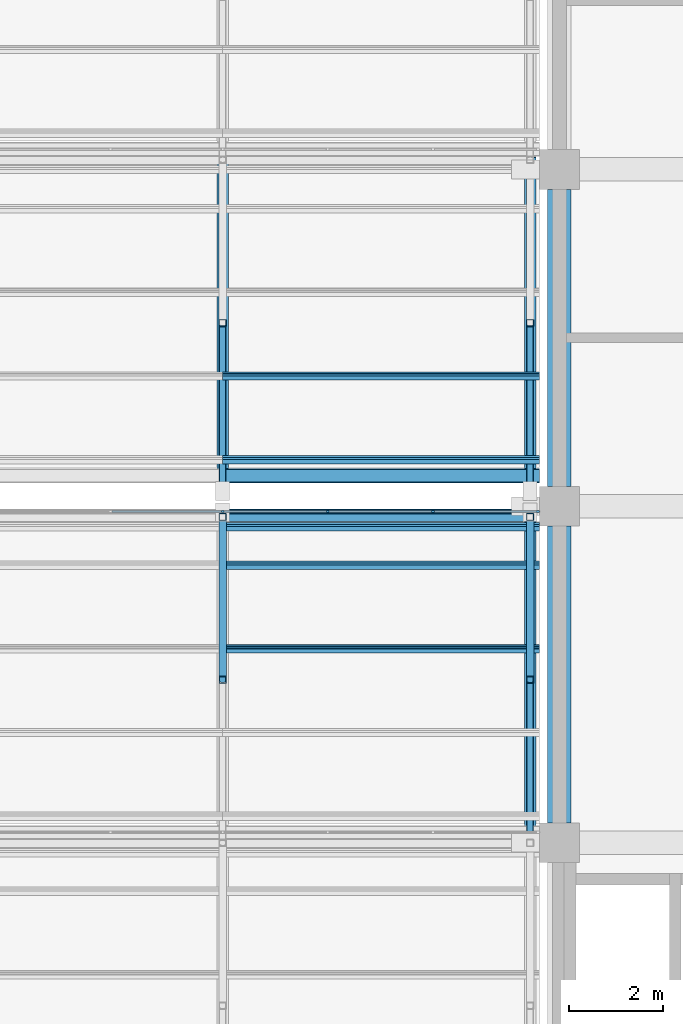
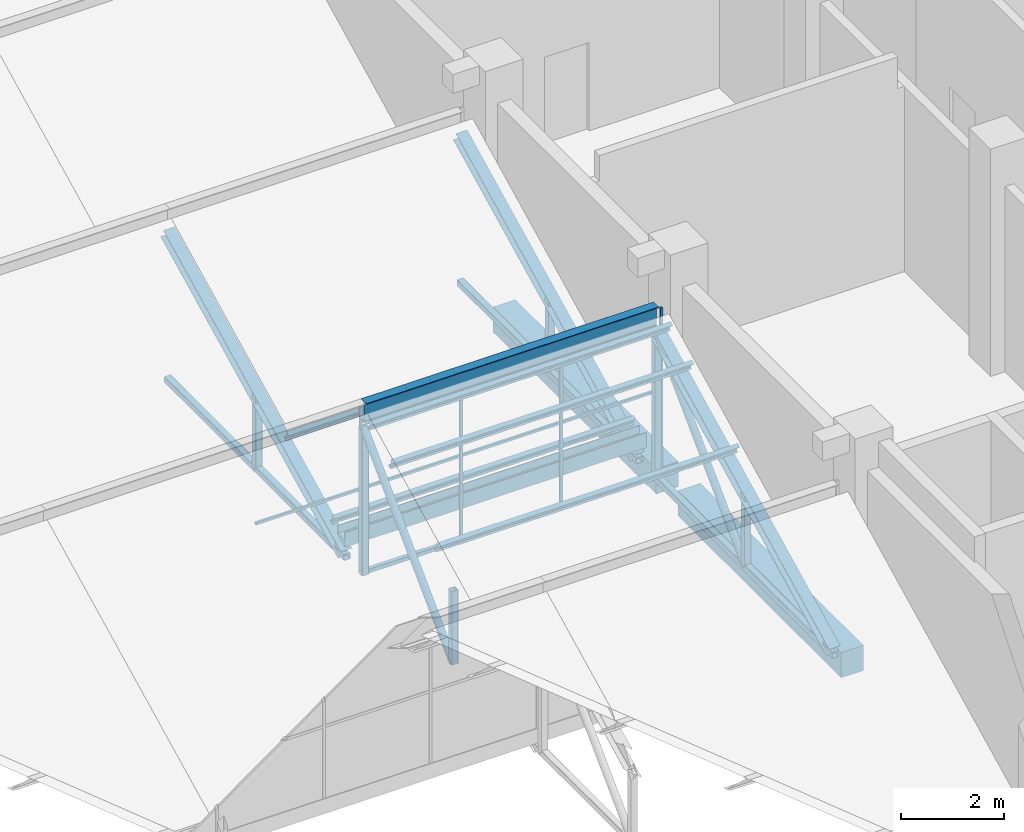
# One storey, part 51 of 83: 30 members, 2 beams, 2 elements without a shape of their own.
"""IFC4 building model written with IfcOpenShell, lengths in metres."""

from ifc_helpers import new_model, si_unit, direction, frame, origin, origin_2d, place, context, subcontext, project, spatial, polyline, rectangle, hollow_rectangle, hollow_circle, i_section, outline, extrude, material, material_profile, profile_set, type_object, element, aggregate, save


model = new_model("IFC4")

# Units and contexts
model_context = context("Model", 3, precision=1e-05, world=origin(), true_north=direction((0.0, 1.0)))
body_context = subcontext(model_context, "Body", "Model", "MODEL_VIEW")
ifc_project = project(units=[si_unit("LENGTHUNIT", "METRE"), si_unit("AREAUNIT", "SQUARE_METRE"), si_unit("VOLUMEUNIT", "CUBIC_METRE"), si_unit("PLANEANGLEUNIT", "RADIAN"), si_unit("MASSUNIT", "GRAM", prefix="KILO")], contexts=[model_context])

# Site, building, storey
site_placement = place(None, origin())
site = spatial("IfcSite", under=ifc_project, at=site_placement, CompositionType="ELEMENT")
building_placement = place(site_placement, origin())
building = spatial("IfcBuilding", under=site, at=building_placement, Name="Silangan Lancet Faculty of Sciences", CompositionType="ELEMENT")
storey_placement = place(building_placement, frame((0.0, 0.0, 11.39990234375)))
storey = spatial("IfcBuildingStorey", under=building, at=storey_placement, Name="L02", CompositionType="ELEMENT", Elevation=11.39990234375)

# Beams
ifc_material_1 = material(Name="Concrete C40/50", Category="concrete")
ifc_material_profile_1 = material_profile(ifc_material_1, rectangle(XDim=0.5, YDim=0.60009765625, at=origin_2d()), Name="RC 500x600")
ifc_profile_set_1 = profile_set([ifc_material_profile_1], Name="Concrete C40/50")
beam_type = type_object("IfcBeamType", Name="BEAM RC 500x600", PredefinedType="BEAM", material=ifc_profile_set_1)
for number, where, z_axis, x_axis, name in (
    (1, (72.0, 29.22509765625, -0.5498046875), (0.0, 1.0, 0.0), (-1.0, 0.0, 0.0), "BM-L02-11E-11F"),
    (2, (72.0, 36.425048828125, -0.5498046875), (0.0, 1.0, 0.0), (-1.0, 0.0, 0.0), "BM-L02-11F-11G"),
):
    element("IfcBeam", number, at=place(storey_placement, frame(where, z_axis=z_axis, x_axis=x_axis)), inside=storey, type_object=beam_type, Name=name, PredefinedType="BEAM", context=body_context, shape_type="SweptSolid", body=[
        extrude(rectangle(XDim=0.5, YDim=0.60009765625, at=origin_2d()), origin(), (0.0, 0.0, 1.0), 6.349853515625),
    ])

# Members
ifc_material_2 = material(Name="Steel SS400", Category="steel")
ifc_material_profile_2 = material_profile(ifc_material_2, i_section(OverallWidth=0.199951171875, OverallDepth=0.5, WebThickness=0.010009765625, FlangeThickness=0.01611328125, FilletRadius=0.02001953125, at=origin_2d()), Name="H 500x200x10x16")
ifc_profile_set_2 = profile_set([ifc_material_profile_2], Name="Steel SS400")
member_type_1 = type_object("IfcMemberType", Name="Exposed ridge beam H 500x200x10x16", PredefinedType="MEMBER", material=ifc_profile_set_2)
member_1_placement = place(storey_placement, frame((64.800048828125, 35.77001953125, 3.93701171875), z_axis=(1.0, 0.0, 0.0), x_axis=(0.0, 1.0, 0.0)))
element("IfcMember", 3, at=member_1_placement, inside=storey, type_object=member_type_1, Name="Exposed ridge beam AUD-2-3", PredefinedType="MEMBER", context=body_context, shape_type="SweptSolid", body=[
    extrude(i_section(OverallWidth=0.199951171875, OverallDepth=0.5, WebThickness=0.010009765625, FlangeThickness=0.01611328125, FilletRadius=0.02001953125, at=origin_2d()), origin(), (0.0, 0.0, 1.0), 6.574951171875),
])
ifc_material_3 = material(Name="Steel STKR400", Category="steel")
ifc_material_profile_3 = material_profile(ifc_material_3, hollow_rectangle(XDim=0.10009765625, YDim=0.10009765625, WallThickness=0.006103515625, InnerFilletRadius=0.006103515625, OuterFilletRadius=0.011962890625, at=origin_2d()), Name="SHS 100x100x6.0")
ifc_profile_set_3 = profile_set([ifc_material_profile_3], Name="Steel STKR400")
member_type_2 = type_object("IfcMemberType", Name="Light sill SHS 100x100x6.0", PredefinedType="MEMBER", material=ifc_profile_set_3)
member_2_placement = place(storey_placement, frame((64.800048828125, 35.885009765625, 0.050048828125), z_axis=(1.0, 0.0, 0.0), x_axis=(0.0, 1.0, 0.0)))
element("IfcMember", 4, at=member_2_placement, inside=storey, type_object=member_type_2, Name="North light sill AUD-2-3", PredefinedType="MEMBER", context=body_context, shape_type="SweptSolid", body=[
    extrude(hollow_rectangle(XDim=0.10009765625, YDim=0.10009765625, WallThickness=0.006103515625, InnerFilletRadius=0.006103515625, OuterFilletRadius=0.011962890625, at=origin_2d()), origin(), (0.0, 0.0, 1.0), 6.77490234375),
])

# Curtain wall, members
ifc_material_4 = material(Name="Aluminium and laminated glass", Category="aluminium")
curtain_wall_type = type_object("IfcCurtainWallType", Name="North light glazing system", PredefinedType="NOTDEFINED", material=ifc_material_4)
curtain_wall_1_placement = place(storey_placement, origin())
curtain_wall_1 = element("IfcCurtainWall", 5, at=curtain_wall_1_placement, inside=storey, type_object=curtain_wall_type, Name="North light glazing AUD-2-3", PredefinedType="NOTDEFINED")
ifc_material_5 = material(Name="Aluminium 6063-T6", Category="aluminium")
ifc_material_profile_4 = material_profile(ifc_material_5, rectangle(XDim=0.06005859375, YDim=0.050048828125, at=origin_2d()), Name="AL 60x50")
ifc_profile_set_4 = profile_set([ifc_material_profile_4], Name="Aluminium 6063-T6")
member_type_3 = type_object("IfcMemberType", Name="North light mullion 60x50", PredefinedType="MULLION", material=ifc_profile_set_4)
member_3_placement = place(storey_placement, frame((64.800048828125, 35.885009765625, 0.10009765625), z_axis=(0.0, 0.0, 1.0), x_axis=(1.0, 0.0, 0.0)))
member_3 = element("IfcMember", 6, at=member_3_placement, type_object=member_type_3, Name="North light mullion AUD-2-3 1", PredefinedType="MULLION", context=body_context, shape_type="SweptSolid", body=[
    extrude(rectangle(XDim=0.06005859375, YDim=0.050048828125, at=origin_2d()), origin(), (0.0, 0.0, 1.0), 3.887939453125),
])
member_4_placement = place(storey_placement, frame((67.04833984375, 35.885009765625, 0.10009765625), z_axis=(0.0, 0.0, 1.0), x_axis=(1.0, 0.0, 0.0)))
member_4 = element("IfcMember", 7, at=member_4_placement, type_object=member_type_3, Name="North light mullion AUD-2-3 2", PredefinedType="MULLION", context=body_context, shape_type="SweptSolid", body=[
    extrude(rectangle(XDim=0.06005859375, YDim=0.050048828125, at=origin_2d()), origin(), (0.0, 0.0, 1.0), 3.887939453125),
])
member_5_placement = place(storey_placement, frame((69.296630859375, 35.885009765625, 0.10009765625), z_axis=(0.0, 0.0, 1.0), x_axis=(1.0, 0.0, 0.0)))
member_5 = element("IfcMember", 8, at=member_5_placement, type_object=member_type_3, Name="North light mullion AUD-2-3 3", PredefinedType="MULLION", context=body_context, shape_type="SweptSolid", body=[
    extrude(rectangle(XDim=0.06005859375, YDim=0.050048828125, at=origin_2d()), origin(), (0.0, 0.0, 1.0), 3.887939453125),
])
member_6_placement = place(storey_placement, frame((71.544921875, 35.885009765625, 0.10009765625), z_axis=(0.0, 0.0, 1.0), x_axis=(1.0, 0.0, 0.0)))
member_6 = element("IfcMember", 9, at=member_6_placement, type_object=member_type_3, Name="North light mullion AUD-2-3 4", PredefinedType="MULLION", context=body_context, shape_type="SweptSolid", body=[
    extrude(rectangle(XDim=0.06005859375, YDim=0.050048828125, at=origin_2d()), origin(), (0.0, 0.0, 1.0), 3.887939453125),
])

# Curtain wall, member
curtain_wall_2_placement = place(storey_placement, origin())
curtain_wall_2 = element("IfcCurtainWall", 10, at=curtain_wall_2_placement, inside=storey, type_object=curtain_wall_type, Name="North light glazing AUD-2-2", PredefinedType="NOTDEFINED")
ifc_material_6 = material(Name="Aluminium 6063-T6", Category="aluminium")
ifc_material_profile_5 = material_profile(ifc_material_6, rectangle(XDim=0.050048828125, YDim=0.06005859375, at=origin_2d()), Name="AL 50x60")
ifc_profile_set_5 = profile_set([ifc_material_profile_5], Name="Aluminium 6063-T6")
member_type_4 = type_object("IfcMemberType", Name="North light transom 50x60", PredefinedType="USERDEFINED", material=ifc_profile_set_5)
member_7_placement = place(storey_placement, frame((62.429931640625, 35.885009765625, 2.044189453125), z_axis=(1.0, 0.0, 0.0), x_axis=(0.0, 1.0, 0.0)))
member_7 = element("IfcMember", 11, at=member_7_placement, type_object=member_type_4, Name="North light transom AUD-2-2 3", ObjectType="TRANSOM", PredefinedType="USERDEFINED", context=body_context, shape_type="SweptSolid", body=[
    extrude(rectangle(XDim=0.050048828125, YDim=0.06005859375, at=origin_2d()), origin(), (0.0, 0.0, 1.0), 2.340087890625),
])
aggregate(curtain_wall_2, [member_7])

# Member
member_8_placement = place(storey_placement, frame((64.830078125, 35.885009765625, 2.044189453125), z_axis=(1.0, 0.0, 0.0), x_axis=(0.0, 1.0, 0.0)))
member_8 = element("IfcMember", 12, at=member_8_placement, type_object=member_type_4, Name="North light transom AUD-2-3 1", ObjectType="TRANSOM", PredefinedType="USERDEFINED", context=body_context, shape_type="SweptSolid", body=[
    extrude(rectangle(XDim=0.050048828125, YDim=0.06005859375, at=origin_2d()), origin(), (0.0, 0.0, 1.0), 2.188232421875),
])

member_9_placement = place(storey_placement, frame((67.078369140625, 35.885009765625, 2.044189453125), z_axis=(1.0, 0.0, 0.0), x_axis=(0.0, 1.0, 0.0)))
member_9 = element("IfcMember", 13, at=member_9_placement, type_object=member_type_4, Name="North light transom AUD-2-3 2", ObjectType="TRANSOM", PredefinedType="USERDEFINED", context=body_context, shape_type="SweptSolid", body=[
    extrude(rectangle(XDim=0.050048828125, YDim=0.06005859375, at=origin_2d()), origin(), (0.0, 0.0, 1.0), 2.188232421875),
])

member_10_placement = place(storey_placement, frame((69.32666015625, 35.885009765625, 2.044189453125), z_axis=(1.0, 0.0, 0.0), x_axis=(0.0, 1.0, 0.0)))
member_10 = element("IfcMember", 14, at=member_10_placement, type_object=member_type_4, Name="North light transom AUD-2-3 3", ObjectType="TRANSOM", PredefinedType="USERDEFINED", context=body_context, shape_type="SweptSolid", body=[
    extrude(rectangle(XDim=0.050048828125, YDim=0.06005859375, at=origin_2d()), origin(), (0.0, 0.0, 1.0), 2.248291015625),
])

aggregate(curtain_wall_1, [member_3, member_4, member_5, member_6, member_8, member_9, member_10])

# Members
ifc_material_7 = material(Name="Steel SS400", Category="steel")
ifc_material_profile_6 = material_profile(ifc_material_7, i_section(OverallWidth=0.10009765625, OverallDepth=0.199951171875, WebThickness=0.005615234375, FlangeThickness=0.008056640625, FilletRadius=0.008056640625, at=origin_2d()), Name="H 200x100x5.5x8")
ifc_profile_set_6 = profile_set([ifc_material_profile_6], Name="Steel SS400")
member_type_5 = type_object("IfcMemberType", Name="Sheeting purlin H 200x100x5.5x8", PredefinedType="PURLIN", material=ifc_profile_set_6)
for number, where, z_axis, x_axis, name in (
    (15, (64.800048828125, 36.9951171875, 0.6318359375), (1.0, 0.0, 0.0), (0.0, 0.894427192382, 0.447213592736), "Sheeting purlin NAB-1-6 1"),
    (16, (64.800048828125, 38.7841796875, 1.526123046875), (1.0, 0.0, 0.0), (0.0, 0.894427192382, 0.447213592736), "Sheeting purlin NAB-1-6 2"),
    (17, (64.800048828125, 32.947998046875, 2.420654296875), (1.0, 0.0, 0.0), (0.0, 0.894427192382, 0.447213592736), "Sheeting purlin AUD-2-3 3"),
    (18, (64.800048828125, 34.73681640625, 3.31494140625), (1.0, 0.0, 0.0), (0.0, 0.894427192382, 0.447213592736), "Sheeting purlin AUD-2-3 4"),
    (19, (64.800048828125, 35.56201171875, 3.727783203125), (1.0, 0.0, 0.0), (0.0, 0.894427192382, 0.447213592736), "Sheeting purlin AUD-2-3 5"),
):
    element("IfcMember", number, at=place(storey_placement, frame(where, z_axis=z_axis, x_axis=x_axis)), inside=storey, type_object=member_type_5, Name=name, PredefinedType="PURLIN", context=body_context, shape_type="SweptSolid", body=[
        extrude(i_section(OverallWidth=0.10009765625, OverallDepth=0.199951171875, WebThickness=0.005615234375, FlangeThickness=0.008056640625, FilletRadius=0.008056640625, at=origin_2d()), origin(), (0.0, 0.0, 1.0), 6.77490234375),
    ])
ifc_material_8 = material(Name="Steel STKR400", Category="steel")
ifc_material_profile_7 = material_profile(ifc_material_8, hollow_rectangle(XDim=0.14990234375, YDim=0.14990234375, WallThickness=0.009033203125, InnerFilletRadius=0.009033203125, OuterFilletRadius=0.01806640625, at=origin_2d()), Name="SHS 150x150x9.0")
ifc_profile_set_7 = profile_set([ifc_material_profile_7], Name="Steel STKR400")
member_type_6 = type_object("IfcMemberType", Name="Truss bottom chord SHS 150x150x9.0", PredefinedType="CHORD", material=ifc_profile_set_7)
for number, where, z_axis, x_axis, name in (
    (20, (64.800048828125, 36.425048828125, 0.09521484375), (0.0, 1.0, 0.0), (-1.0, 0.0, 0.0), "Truss 6 bottom chord 1"),
    (21, (71.375, 36.425048828125, 0.09521484375), (0.0, 1.0, 0.0), (-1.0, 0.0, 0.0), "Truss 7 bottom chord 1"),
):
    element("IfcMember", number, at=place(storey_placement, frame(where, z_axis=z_axis, x_axis=x_axis)), inside=storey, type_object=member_type_6, Name=name, PredefinedType="CHORD", context=body_context, shape_type="SweptSolid", body=[
        extrude(hollow_rectangle(XDim=0.14990234375, YDim=0.14990234375, WallThickness=0.009033203125, InnerFilletRadius=0.009033203125, OuterFilletRadius=0.01806640625, at=origin_2d()), origin(), (0.0, 0.0, 1.0), 6.981689453125),
    ])
member_11_placement = place(storey_placement, frame((71.375, 28.800048828125, 0.09521484375), z_axis=(0.0, 1.0, 0.0), x_axis=(-1.0, 0.0, 0.0)))
element("IfcMember", 22, at=member_11_placement, inside=storey, type_object=member_type_6, Name="Truss 4 bottom chord 2", PredefinedType="CHORD", context=body_context, shape_type="SweptSolid", body=[
    extrude(hollow_rectangle(XDim=0.14990234375, YDim=0.14990234375, WallThickness=0.009033203125, InnerFilletRadius=0.009033203125, OuterFilletRadius=0.01806640625, at=origin_2d()), origin(), (0.0, 0.0, 1.0), 6.969970703125),
])
ifc_material_9 = material(Name="Steel STK400", Category="steel")
ifc_material_profile_8 = material_profile(ifc_material_9, hollow_circle(Radius=0.08251953125, WallThickness=0.0048828125, at=origin_2d()), Name="CHS 165.2x5.0")
ifc_profile_set_8 = profile_set([ifc_material_profile_8], Name="Steel STK400")
member_type_7 = type_object("IfcMemberType", Name="Truss diagonal CHS 165.2x5.0", PredefinedType="BRACE", material=ifc_profile_set_8)
for number, where, z_axis, x_axis, name in (
    (23, (64.800048828125, 32.284912109375, 0.09521484375), (0.0, 0.707131548933, 0.707082012572), (-1.0, 0.0, 0.0), "Truss 3 diagonal 2"),
    (24, (71.375, 32.284912109375, 0.09521484375), (0.0, 0.707131548933, 0.707082012572), (-1.0, 0.0, 0.0), "Truss 4 diagonal 2"),
):
    element("IfcMember", number, at=place(storey_placement, frame(where, z_axis=z_axis, x_axis=x_axis)), inside=storey, type_object=member_type_7, Name=name, PredefinedType="BRACE", context=body_context, shape_type="SweptSolid", body=[
        extrude(hollow_circle(Radius=0.08251953125, WallThickness=0.0048828125, at=origin_2d()), origin(), (0.0, 0.0, 1.0), 4.928466796875),
    ])
ifc_material_10 = material(Name="Steel STKR400", Category="steel")
ifc_material_profile_9 = material_profile(ifc_material_10, hollow_rectangle(XDim=0.14990234375, YDim=0.14990234375, WallThickness=0.006103515625, InnerFilletRadius=0.006103515625, OuterFilletRadius=0.011962890625, at=origin_2d()), Name="SHS 150x150x6.0")
ifc_profile_set_9 = profile_set([ifc_material_profile_9], Name="Steel STKR400")
member_type_8 = type_object("IfcMemberType", Name="Truss post SHS 150x150x6.0", PredefinedType="POST", material=ifc_profile_set_9)
for number, where, z_axis, x_axis, name in (
    (25, (64.800048828125, 39.915771484375, 0.09521484375), (0.0, 0.0, 1.0), (1.0, 0.0, 0.0), "Truss 6 mid post 1"),
    (26, (71.375, 39.915771484375, 0.09521484375), (0.0, 0.0, 1.0), (1.0, 0.0, 0.0), "Truss 7 mid post 1"),
):
    element("IfcMember", number, at=place(storey_placement, frame(where, z_axis=z_axis, x_axis=x_axis)), inside=storey, type_object=member_type_8, Name=name, PredefinedType="POST", context=body_context, shape_type="SweptSolid", body=[
        extrude(hollow_rectangle(XDim=0.14990234375, YDim=0.14990234375, WallThickness=0.006103515625, InnerFilletRadius=0.006103515625, OuterFilletRadius=0.011962890625, at=origin_2d()), origin(), (0.0, 0.0, 1.0), 1.745361328125),
    ])
member_12_placement = place(storey_placement, frame((64.800048828125, 35.77001953125, 0.09521484375), z_axis=(0.0, 0.0, 1.0), x_axis=(1.0, 0.0, 0.0)))
element("IfcMember", 27, at=member_12_placement, inside=storey, type_object=member_type_8, Name="Truss 3 riser post 2", PredefinedType="POST", context=body_context, shape_type="SweptSolid", body=[
    extrude(hollow_rectangle(XDim=0.14990234375, YDim=0.14990234375, WallThickness=0.006103515625, InnerFilletRadius=0.006103515625, OuterFilletRadius=0.011962890625, at=origin_2d()), origin(), (0.0, 0.0, 1.0), 3.48486328125),
])
member_13_placement = place(storey_placement, frame((64.800048828125, 32.284912109375, 0.09521484375), z_axis=(0.0, 0.0, 1.0), x_axis=(1.0, 0.0, 0.0)))
element("IfcMember", 28, at=member_13_placement, inside=storey, type_object=member_type_8, Name="Truss 3 mid post 2", PredefinedType="POST", context=body_context, shape_type="SweptSolid", body=[
    extrude(hollow_rectangle(XDim=0.14990234375, YDim=0.14990234375, WallThickness=0.006103515625, InnerFilletRadius=0.006103515625, OuterFilletRadius=0.011962890625, at=origin_2d()), origin(), (0.0, 0.0, 1.0), 1.742431640625),
])
member_14_placement = place(storey_placement, frame((71.375, 35.77001953125, 0.09521484375), z_axis=(0.0, 0.0, 1.0), x_axis=(1.0, 0.0, 0.0)))
element("IfcMember", 29, at=member_14_placement, inside=storey, type_object=member_type_8, Name="Truss 4 riser post 2", PredefinedType="POST", context=body_context, shape_type="SweptSolid", body=[
    extrude(hollow_rectangle(XDim=0.14990234375, YDim=0.14990234375, WallThickness=0.006103515625, InnerFilletRadius=0.006103515625, OuterFilletRadius=0.011962890625, at=origin_2d()), origin(), (0.0, 0.0, 1.0), 3.48486328125),
])
member_15_placement = place(storey_placement, frame((71.375, 32.284912109375, 0.09521484375), z_axis=(0.0, 0.0, 1.0), x_axis=(1.0, 0.0, 0.0)))
element("IfcMember", 30, at=member_15_placement, inside=storey, type_object=member_type_8, Name="Truss 4 mid post 2", PredefinedType="POST", context=body_context, shape_type="SweptSolid", body=[
    extrude(hollow_rectangle(XDim=0.14990234375, YDim=0.14990234375, WallThickness=0.006103515625, InnerFilletRadius=0.006103515625, OuterFilletRadius=0.011962890625, at=origin_2d()), origin(), (0.0, 0.0, 1.0), 1.742431640625),
])
ifc_material_11 = material(Name="Steel SS400", Category="steel")
ifc_material_profile_10 = material_profile(ifc_material_11, i_section(OverallWidth=0.25, OverallDepth=0.25, WebThickness=0.009033203125, FlangeThickness=0.013916015625, FilletRadius=0.01611328125, at=origin_2d()), Name="H 250x250x9x14")
ifc_profile_set_10 = profile_set([ifc_material_profile_10], Name="Steel SS400")
member_type_9 = type_object("IfcMemberType", Name="Truss top chord H 250x250x9x14", PredefinedType="CHORD", material=ifc_profile_set_10)
for number, where, z_axis, x_axis, name in (
    (31, (64.800048828125, 36.505615234375, 0.13525390625), (0.0, 0.894420862535, 0.447226252205), (-1.0, 0.0, 0.0), "Truss 6 top chord 1"),
    (32, (71.375, 36.505615234375, 0.13525390625), (0.0, 0.894420862535, 0.447226252205), (-1.0, 0.0, 0.0), "Truss 7 top chord 1"),
):
    element("IfcMember", number, at=place(storey_placement, frame(where, z_axis=z_axis, x_axis=x_axis)), inside=storey, type_object=member_type_9, Name=name, PredefinedType="CHORD", context=body_context, shape_type="SweptSolid", body=[
        extrude(i_section(OverallWidth=0.25, OverallDepth=0.25, WebThickness=0.009033203125, FlangeThickness=0.013916015625, FilletRadius=0.01611328125, at=origin_2d()), origin(), (0.0, 0.0, 1.0), 7.7158203125),
    ])
member_16_placement = place(storey_placement, frame((71.375, 28.880615234375, 0.13525390625), z_axis=(0.0, 0.894420851771, 0.447226273734), x_axis=(-1.0, 0.0, 0.0)))
element("IfcMember", 33, at=member_16_placement, inside=storey, type_object=member_type_9, Name="Truss 4 top chord 2", PredefinedType="CHORD", context=body_context, shape_type="SweptSolid", body=[
    extrude(i_section(OverallWidth=0.25, OverallDepth=0.25, WebThickness=0.009033203125, FlangeThickness=0.013916015625, FilletRadius=0.01611328125, at=origin_2d()), origin(), (0.0, 0.0, 1.0), 7.70263671875),
])
ifc_material_12 = material(Name="Stainless steel", Category="steel")
ifc_material_profile_11 = material_profile(ifc_material_12, outline(polyline([(-0.14990234375, 0.0), (0.14990234375, 0.14990234375), (0.14990234375, 0.35009765625), (0.1298828125, 0.35009765625), (0.1298828125, 0.169921875), (-0.1298828125, 0.169921875), (-0.1298828125, 0.35009765625), (-0.14990234375, 0.35009765625), (-0.14990234375, 0.0)])), Name="valley gutter")
ifc_profile_set_11 = profile_set([ifc_material_profile_11], Name="Stainless steel")
member_type_10 = type_object("IfcMemberType", Name="Valley gutter 300 wide", PredefinedType="USERDEFINED", material=ifc_profile_set_11)
member_17_placement = place(storey_placement, frame((64.800048828125, 36.64990234375, 0.2724609375), z_axis=(1.0, 0.0, 0.0), x_axis=(0.0, 1.0, 0.0)))
element("IfcMember", 34, at=member_17_placement, inside=storey, type_object=member_type_10, Name="Valley gutter NAB-1-6", ObjectType="GUTTER", PredefinedType="USERDEFINED", context=body_context, shape_type="SweptSolid", body=[
    extrude(outline(polyline([(-0.14990234375, 0.0), (0.14990234375, 0.14990234375), (0.14990234375, 0.35009765625), (0.1298828125, 0.35009765625), (0.1298828125, 0.169921875), (-0.1298828125, 0.169921875), (-0.1298828125, 0.35009765625), (-0.14990234375, 0.35009765625), (-0.14990234375, 0.0)])), origin(), (0.0, 0.0, 1.0), 6.77490234375),
])

save(model, "model.ifc")
